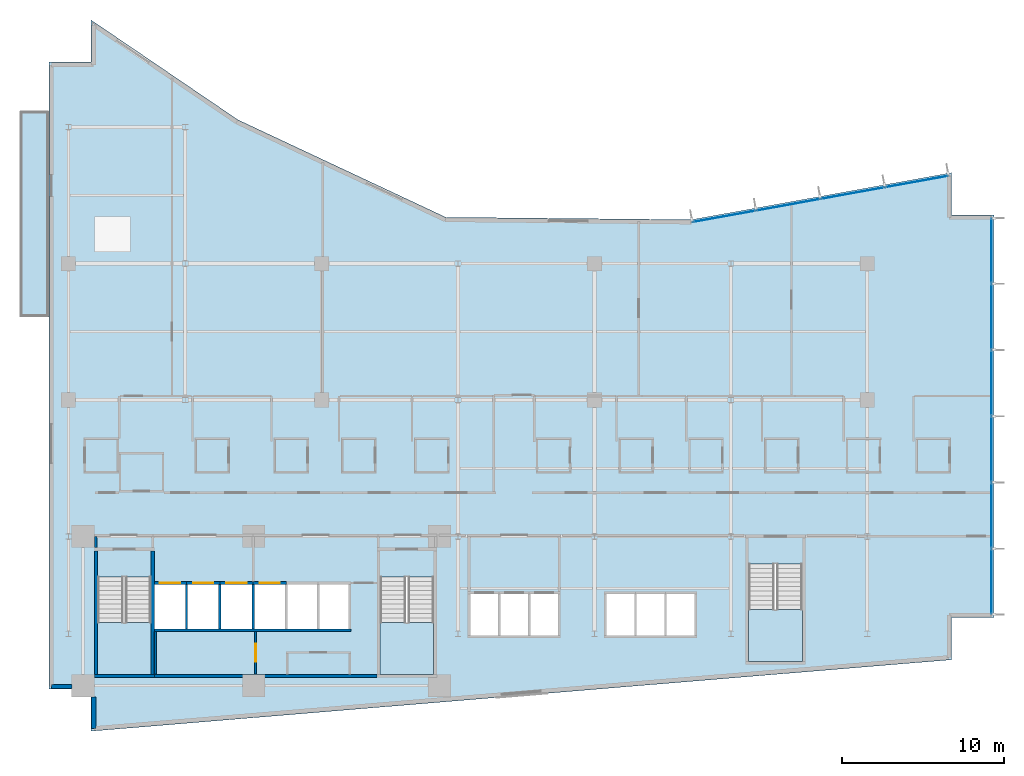
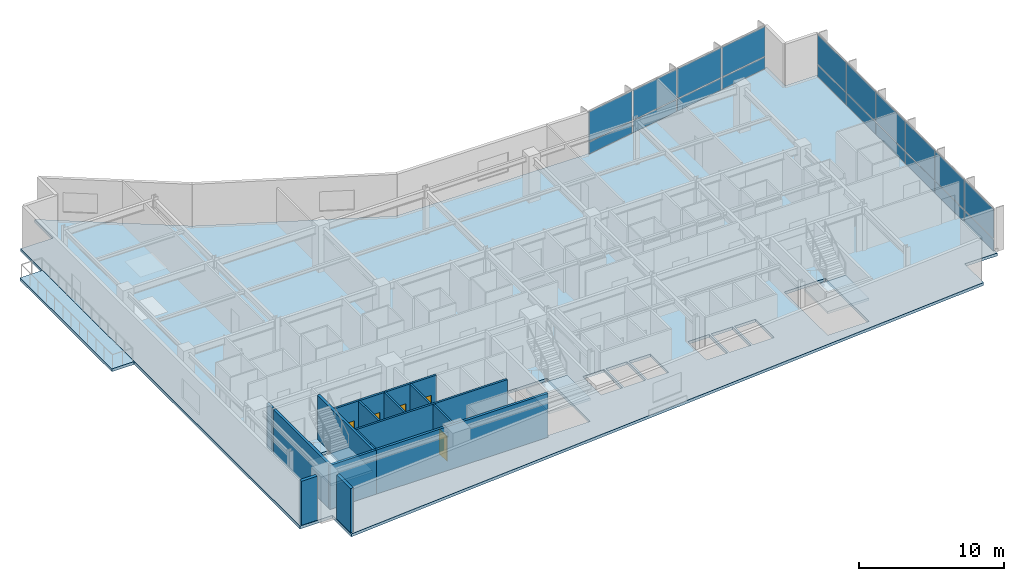
# One storey, part 11 of 21: 20 plates, 17 walls, 5 doors, 5 slabs, 5 openings, 5 elements without a shape of their own.
"""IFC4 building model written with IfcOpenShell, lengths in metres."""

from ifc_helpers import new_model, si_unit, direction, frame, frame_2d, origin, origin_2d, place, context, subcontext, project, spatial, polyline, rectangle, outline, extrude, material, layer, layer_set, type_object, element, fill, aggregate, save


model = new_model("IFC4")

# Units and contexts
model_context = context("Model", 3, precision=1e-05, world=origin(), true_north=direction((0.0, 1.0)))
body_context = subcontext(model_context, "Body", "Model", "MODEL_VIEW")
ifc_project = project(units=[si_unit("LENGTHUNIT", "METRE"), si_unit("AREAUNIT", "SQUARE_METRE"), si_unit("VOLUMEUNIT", "CUBIC_METRE"), si_unit("PLANEANGLEUNIT", "RADIAN"), si_unit("MASSUNIT", "GRAM", prefix="KILO")], contexts=[model_context])

# Site, building, storey
site_placement = place(None, origin())
site = spatial("IfcSite", under=ifc_project, at=site_placement, CompositionType="ELEMENT")
building_placement = place(site_placement, origin())
building = spatial("IfcBuilding", under=site, at=building_placement, Name="Varnakote Quay Hospital", CompositionType="ELEMENT")
storey_placement = place(building_placement, frame((0.0, 0.0, 42.25)))
storey = spatial("IfcBuildingStorey", under=building, at=storey_placement, Name="L10", CompositionType="ELEMENT", Elevation=42.25)

# Curtain wall, plates
ifc_material_1 = material(Name="Anodised aluminium 6063-T6 Bronze", Category="aluminium")
ifc_layer_1 = layer(ifc_material_1, 0.18994140625)
ifc_layer_set_1 = layer_set([ifc_layer_1], Name="Anodised aluminium 6063-T6 Bronze")
curtain_wall_type = type_object("IfcCurtainWallType", Name="CW-SYS-2", PredefinedType="NOTDEFINED", material=ifc_layer_set_1)
curtain_wall_1_placement = place(storey_placement, origin())
curtain_wall_1 = element("IfcCurtainWall", 1, at=curtain_wall_1_placement, inside=storey, type_object=curtain_wall_type, Name="L10 Unitised Bronze Curtain Wall 1", PredefinedType="NOTDEFINED")
ifc_material_2 = material(Name="Double-glazed acoustic laminated glass", Category="glass")
ifc_layer_2 = layer(ifc_material_2, 0.031982421875)
ifc_layer_set_2 = layer_set([ifc_layer_2], Name="Double-glazed acoustic laminated glass")
plate_type = type_object("IfcPlateType", Name="CW-PNL-GLZ-32", PredefinedType="CURTAIN_PANEL", material=ifc_layer_set_2)
plate_1_placement = place(storey_placement, frame((58.0400390625, 9.21875, 0.0751953125), z_axis=(0.0, 0.0, 1.0), x_axis=(0.0, 1.0, 0.0)))
plate_1 = element("IfcPlate", 2, at=plate_1_placement, type_object=plate_type, Name="-2-L10-1 panel 1.1", PredefinedType="CURTAIN_PANEL", context=body_context, shape_type="SweptSolid", body=[
    extrude(rectangle(XDim=3.967529296875, YDim=0.031982421875, at=origin_2d()), origin(), (0.0, 0.0, 1.0), 0.987548828125),
])
plate_2_placement = place(storey_placement, frame((58.0400390625, 9.21875, 1.137451171875), z_axis=(0.0, 0.0, 1.0), x_axis=(0.0, 1.0, 0.0)))
plate_2 = element("IfcPlate", 3, at=plate_2_placement, type_object=plate_type, Name="-2-L10-1 panel 1.2", PredefinedType="CURTAIN_PANEL", context=body_context, shape_type="SweptSolid", body=[
    extrude(rectangle(XDim=3.967529296875, YDim=0.031982421875, at=origin_2d()), origin(), (0.0, 0.0, 1.0), 2.49755859375),
])
plate_3_placement = place(storey_placement, frame((58.0400390625, 13.280029296875, 0.0751953125), z_axis=(0.0, 0.0, 1.0), x_axis=(0.0, 1.0, 0.0)))
plate_3 = element("IfcPlate", 4, at=plate_3_placement, type_object=plate_type, Name="-2-L10-1 panel 2.1", PredefinedType="CURTAIN_PANEL", context=body_context, shape_type="SweptSolid", body=[
    extrude(rectangle(XDim=4.0048828125, YDim=0.031982421875, at=origin_2d()), origin(), (0.0, 0.0, 1.0), 0.987548828125),
])
plate_4_placement = place(storey_placement, frame((58.0400390625, 13.280029296875, 1.137451171875), z_axis=(0.0, 0.0, 1.0), x_axis=(0.0, 1.0, 0.0)))
plate_4 = element("IfcPlate", 5, at=plate_4_placement, type_object=plate_type, Name="-2-L10-1 panel 2.2", PredefinedType="CURTAIN_PANEL", context=body_context, shape_type="SweptSolid", body=[
    extrude(rectangle(XDim=4.0048828125, YDim=0.031982421875, at=origin_2d()), origin(), (0.0, 0.0, 1.0), 2.49755859375),
])
plate_5_placement = place(storey_placement, frame((58.0400390625, 17.360107421875, 0.0751953125), z_axis=(0.0, 0.0, 1.0), x_axis=(0.0, 1.0, 0.0)))
plate_5 = element("IfcPlate", 6, at=plate_5_placement, type_object=plate_type, Name="-2-L10-1 panel 3.1", PredefinedType="CURTAIN_PANEL", context=body_context, shape_type="SweptSolid", body=[
    extrude(rectangle(XDim=4.0048828125, YDim=0.031982421875, at=origin_2d()), origin(), (0.0, 0.0, 1.0), 0.987548828125),
])
plate_6_placement = place(storey_placement, frame((58.0400390625, 17.360107421875, 1.137451171875), z_axis=(0.0, 0.0, 1.0), x_axis=(0.0, 1.0, 0.0)))
plate_6 = element("IfcPlate", 7, at=plate_6_placement, type_object=plate_type, Name="-2-L10-1 panel 3.2", PredefinedType="CURTAIN_PANEL", context=body_context, shape_type="SweptSolid", body=[
    extrude(rectangle(XDim=4.0048828125, YDim=0.031982421875, at=origin_2d()), origin(), (0.0, 0.0, 1.0), 2.49755859375),
])
plate_7_placement = place(storey_placement, frame((58.0400390625, 21.43994140625, 0.0751953125), z_axis=(0.0, 0.0, 1.0), x_axis=(0.0, 1.0, 0.0)))
plate_7 = element("IfcPlate", 8, at=plate_7_placement, type_object=plate_type, Name="-2-L10-1 panel 4.1", PredefinedType="CURTAIN_PANEL", context=body_context, shape_type="SweptSolid", body=[
    extrude(rectangle(XDim=4.0048828125, YDim=0.031982421875, at=origin_2d()), origin(), (0.0, 0.0, 1.0), 0.987548828125),
])
plate_8_placement = place(storey_placement, frame((58.0400390625, 21.43994140625, 1.137451171875), z_axis=(0.0, 0.0, 1.0), x_axis=(0.0, 1.0, 0.0)))
plate_8 = element("IfcPlate", 9, at=plate_8_placement, type_object=plate_type, Name="-2-L10-1 panel 4.2", PredefinedType="CURTAIN_PANEL", context=body_context, shape_type="SweptSolid", body=[
    extrude(rectangle(XDim=4.0048828125, YDim=0.031982421875, at=origin_2d()), origin(), (0.0, 0.0, 1.0), 2.49755859375),
])
plate_9_placement = place(storey_placement, frame((58.0400390625, 25.52001953125, 0.0751953125), z_axis=(0.0, 0.0, 1.0), x_axis=(0.0, 1.0, 0.0)))
plate_9 = element("IfcPlate", 10, at=plate_9_placement, type_object=plate_type, Name="-2-L10-1 panel 5.1", PredefinedType="CURTAIN_PANEL", context=body_context, shape_type="SweptSolid", body=[
    extrude(rectangle(XDim=4.0048828125, YDim=0.031982421875, at=origin_2d()), origin(), (0.0, 0.0, 1.0), 0.987548828125),
])
plate_10_placement = place(storey_placement, frame((58.0400390625, 25.52001953125, 1.137451171875), z_axis=(0.0, 0.0, 1.0), x_axis=(0.0, 1.0, 0.0)))
plate_10 = element("IfcPlate", 11, at=plate_10_placement, type_object=plate_type, Name="-2-L10-1 panel 5.2", PredefinedType="CURTAIN_PANEL", context=body_context, shape_type="SweptSolid", body=[
    extrude(rectangle(XDim=4.0048828125, YDim=0.031982421875, at=origin_2d()), origin(), (0.0, 0.0, 1.0), 2.49755859375),
])
plate_11_placement = place(storey_placement, frame((58.0400390625, 29.581298828125, 0.0751953125), z_axis=(0.0, 0.0, 1.0), x_axis=(0.0, 1.0, 0.0)))
plate_11 = element("IfcPlate", 12, at=plate_11_placement, type_object=plate_type, Name="-2-L10-1 panel 6.1", PredefinedType="CURTAIN_PANEL", context=body_context, shape_type="SweptSolid", body=[
    extrude(rectangle(XDim=3.967529296875, YDim=0.031982421875, at=origin_2d()), origin(), (0.0, 0.0, 1.0), 0.987548828125),
])
plate_12_placement = place(storey_placement, frame((58.0400390625, 29.581298828125, 1.137451171875), z_axis=(0.0, 0.0, 1.0), x_axis=(0.0, 1.0, 0.0)))
plate_12 = element("IfcPlate", 13, at=plate_12_placement, type_object=plate_type, Name="-2-L10-1 panel 6.2", PredefinedType="CURTAIN_PANEL", context=body_context, shape_type="SweptSolid", body=[
    extrude(rectangle(XDim=3.967529296875, YDim=0.031982421875, at=origin_2d()), origin(), (0.0, 0.0, 1.0), 2.49755859375),
])
aggregate(curtain_wall_1, [plate_1, plate_2, plate_3, plate_4, plate_5, plate_6, plate_7, plate_8, plate_9, plate_10, plate_11, plate_12])

curtain_wall_2_placement = place(storey_placement, origin())
curtain_wall_2 = element("IfcCurtainWall", 14, at=curtain_wall_2_placement, inside=storey, type_object=curtain_wall_type, Name="L10 Unitised Bronze Curtain Wall 2", PredefinedType="NOTDEFINED")
plate_13_placement = place(storey_placement, frame((53.440185546875, 33.84716796875, 0.0751953125), z_axis=(0.0, 0.0, 1.0), x_axis=(-0.984058295766, -0.177846199098, 0.0)))
plate_13 = element("IfcPlate", 15, at=plate_13_placement, type_object=plate_type, Name="-2-L10-2 panel 1.1", PredefinedType="CURTAIN_PANEL", context=body_context, shape_type="SweptSolid", body=[
    extrude(rectangle(XDim=3.914306640625, YDim=0.031982421875, at=origin_2d()), origin(), (0.0, 0.0, 1.0), 0.987548828125),
])
plate_14_placement = place(storey_placement, frame((53.440185546875, 33.84716796875, 1.137451171875), z_axis=(0.0, 0.0, 1.0), x_axis=(-0.984058295766, -0.177846199098, 0.0)))
plate_14 = element("IfcPlate", 16, at=plate_14_placement, type_object=plate_type, Name="-2-L10-2 panel 1.2", PredefinedType="CURTAIN_PANEL", context=body_context, shape_type="SweptSolid", body=[
    extrude(rectangle(XDim=3.914306640625, YDim=0.031982421875, at=origin_2d()), origin(), (0.0, 0.0, 1.0), 2.49755859375),
])
plate_15_placement = place(storey_placement, frame((49.49609375, 33.13427734375, 0.0751953125), z_axis=(0.0, 0.0, 1.0), x_axis=(-0.984058295766, -0.177846199098, 0.0)))
plate_15 = element("IfcPlate", 17, at=plate_15_placement, type_object=plate_type, Name="-2-L10-2 panel 2.1", PredefinedType="CURTAIN_PANEL", context=body_context, shape_type="SweptSolid", body=[
    extrude(rectangle(XDim=3.951904296875, YDim=0.031982421875, at=origin_2d()), origin(), (0.0, 0.0, 1.0), 0.987548828125),
])
plate_16_placement = place(storey_placement, frame((49.49609375, 33.13427734375, 1.137451171875), z_axis=(0.0, 0.0, 1.0), x_axis=(-0.984058295766, -0.177846199098, 0.0)))
plate_16 = element("IfcPlate", 18, at=plate_16_placement, type_object=plate_type, Name="-2-L10-2 panel 2.2", PredefinedType="CURTAIN_PANEL", context=body_context, shape_type="SweptSolid", body=[
    extrude(rectangle(XDim=3.951904296875, YDim=0.031982421875, at=origin_2d()), origin(), (0.0, 0.0, 1.0), 2.49755859375),
])
plate_17_placement = place(storey_placement, frame((45.533447265625, 32.418212890625, 0.0751953125), z_axis=(0.0, 0.0, 1.0), x_axis=(-0.984058295766, -0.177846199098, 0.0)))
plate_17 = element("IfcPlate", 19, at=plate_17_placement, type_object=plate_type, Name="-2-L10-2 panel 3.1", PredefinedType="CURTAIN_PANEL", context=body_context, shape_type="SweptSolid", body=[
    extrude(rectangle(XDim=3.951904296875, YDim=0.031982421875, at=origin_2d()), origin(), (0.0, 0.0, 1.0), 0.987548828125),
])
plate_18_placement = place(storey_placement, frame((45.533447265625, 32.418212890625, 1.137451171875), z_axis=(0.0, 0.0, 1.0), x_axis=(-0.984058295766, -0.177846199098, 0.0)))
plate_18 = element("IfcPlate", 20, at=plate_18_placement, type_object=plate_type, Name="-2-L10-2 panel 3.2", PredefinedType="CURTAIN_PANEL", context=body_context, shape_type="SweptSolid", body=[
    extrude(rectangle(XDim=3.951904296875, YDim=0.031982421875, at=origin_2d()), origin(), (0.0, 0.0, 1.0), 2.49755859375),
])
plate_19_placement = place(storey_placement, frame((41.58935546875, 31.705322265625, 0.0751953125), z_axis=(0.0, 0.0, 1.0), x_axis=(-0.984058295766, -0.177846199098, 0.0)))
plate_19 = element("IfcPlate", 21, at=plate_19_placement, type_object=plate_type, Name="-2-L10-2 panel 4.1", PredefinedType="CURTAIN_PANEL", context=body_context, shape_type="SweptSolid", body=[
    extrude(rectangle(XDim=3.914306640625, YDim=0.031982421875, at=origin_2d()), origin(), (0.0, 0.0, 1.0), 0.987548828125),
])
plate_20_placement = place(storey_placement, frame((41.58935546875, 31.705322265625, 1.137451171875), z_axis=(0.0, 0.0, 1.0), x_axis=(-0.984058295766, -0.177846199098, 0.0)))
plate_20 = element("IfcPlate", 22, at=plate_20_placement, type_object=plate_type, Name="-2-L10-2 panel 4.2", PredefinedType="CURTAIN_PANEL", context=body_context, shape_type="SweptSolid", body=[
    extrude(rectangle(XDim=3.914306640625, YDim=0.031982421875, at=origin_2d()), origin(), (0.0, 0.0, 1.0), 2.49755859375),
])
aggregate(curtain_wall_2, [plate_13, plate_14, plate_15, plate_16, plate_17, plate_18, plate_19, plate_20])

# Stair, slab
ifc_material_3 = material(Name="Concrete N40 (f'c 40 MPa)", Category="concrete")
stair_type = type_object("IfcStairType", Name="STR-CORE-1580", PredefinedType="HALF_TURN_STAIR", material=ifc_material_3)
stair_1_placement = place(storey_placement, origin())
stair_1 = element("IfcStair", 23, at=stair_1_placement, inside=storey, type_object=stair_type, Name="L10 Fire-Isolated Exit Stair ST-01", PredefinedType="HALF_TURN_STAIR")
ifc_material_4 = material(Name="Concrete N40 (f'c 40 MPa)", Category="concrete")
ifc_layer_3 = layer(ifc_material_4, 0.199951171875)
ifc_layer_set_3 = layer_set([ifc_layer_3], Name="Concrete N40 (f'c 40 MPa)")
slab_type_1 = type_object("IfcSlabType", Name="SLB-STAIR-LND-200", PredefinedType="LANDING", material=ifc_layer_set_3)
slab_1_placement = place(storey_placement, frame((0.0, 0.0, 1.77490234375)))
slab_1 = element("IfcSlab", 24, at=slab_1_placement, type_object=slab_type_1, Name="ST-01 landing 1", PredefinedType="LANDING", context=body_context, shape_type="SweptSolid", body=[
    extrude(outline(polyline([(3.0, 6.699951171875), (3.0, 3.5), (6.300048828125, 3.5), (6.300048828125, 6.699951171875), (3.0, 6.699951171875)])), origin(), (0.0, 0.0, 1.0), 0.2001953125),
])
aggregate(stair_1, [slab_1])

stair_2_placement = place(storey_placement, origin())
stair_2 = element("IfcStair", 25, at=stair_2_placement, inside=storey, type_object=stair_type, Name="L10 Fire-Isolated Exit Stair ST-02", PredefinedType="HALF_TURN_STAIR")
slab_2_placement = place(storey_placement, frame((0.0, 0.0, 1.77490234375)))
slab_2 = element("IfcSlab", 26, at=slab_2_placement, type_object=slab_type_1, Name="ST-02 landing 1", PredefinedType="LANDING", context=body_context, shape_type="SweptSolid", body=[
    extrude(outline(polyline([(20.39990234375, 6.699951171875), (20.39990234375, 3.5), (23.699951171875, 3.5), (23.699951171875, 6.699951171875), (20.39990234375, 6.699951171875)])), origin(), (0.0, 0.0, 1.0), 0.2001953125),
])
aggregate(stair_2, [slab_2])

stair_3_placement = place(storey_placement, origin())
stair_3 = element("IfcStair", 27, at=stair_3_placement, inside=storey, type_object=stair_type, Name="L10 Fire-Isolated Exit Stair ST-03", PredefinedType="HALF_TURN_STAIR")
slab_3_placement = place(storey_placement, frame((0.0, 0.0, 1.77490234375)))
slab_3 = element("IfcSlab", 28, at=slab_3_placement, type_object=slab_type_1, Name="ST-03 landing 1", PredefinedType="LANDING", context=body_context, shape_type="SweptSolid", body=[
    extrude(outline(polyline([(43.10009765625, 7.5), (43.10009765625, 4.300048828125), (46.39990234375, 4.300048828125), (46.39990234375, 7.5), (43.10009765625, 7.5)])), origin(), (0.0, 0.0, 1.0), 0.2001953125),
])
aggregate(stair_3, [slab_3])

# Slabs
ifc_material_5 = material(Name="Concrete N50 (f'c 50 MPa)", Category="concrete")
ifc_layer_4 = layer(ifc_material_5, 0.239990234375)
ifc_layer_set_4 = layer_set([ifc_layer_4], Name="Concrete N50 (f'c 50 MPa)")
slab_type_2 = type_object("IfcSlabType", Name="SLB-TERR-200", PredefinedType="FLOOR", material=ifc_layer_set_4)
slab_4_placement = place(storey_placement, frame((0.0, 0.0, -0.239990234375)))
element("IfcSlab", 29, at=slab_4_placement, inside=storey, type_object=slab_type_2, Name="L10 Waterfront Healing Terrace Slab", PredefinedType="FLOOR", context=body_context, shape_type="SweptSolid", body=[
    extrude(outline(polyline([(0.00390625, 25.5), (0.00390625, 38.199951171875), (-1.780029296875, 38.199951171875), (-1.780029296875, 25.5), (0.00390625, 25.5)])), origin(), (0.0, 0.0, 1.0), 0.239990234375),
])
ifc_material_6 = material(Name="Concrete N50 (f'c 50 MPa)", Category="concrete")
ifc_layer_5 = layer(ifc_material_6, 0.239990234375)
ifc_layer_set_5 = layer_set([ifc_layer_5], Name="Concrete N50 (f'c 50 MPa)")
slab_type_3 = type_object("IfcSlabType", Name="SLB-WARD-200", PredefinedType="FLOOR", material=ifc_layer_set_5)
slab_5_placement = place(storey_placement, frame((0.0, 0.0, -0.239990234375)))
element("IfcSlab", 30, at=slab_5_placement, inside=storey, type_object=slab_type_3, Name="L10 Primary Floor Slab", PredefinedType="FLOOR", context=body_context, shape_type="SweptSolid", body=[
    extrude(outline(polyline([(0.0, 2.60009765625), (2.60009765625, 2.60009765625), (2.60009765625, 0.0), (55.60009765625, 4.39990234375), (55.60009765625, 7.0), (58.199951171875, 7.0), (58.199951171875, 31.800048828125), (55.60009765625, 31.800048828125), (55.60009765625, 34.39990234375), (39.575927734375, 31.50390625), (24.444091796875, 31.652099609375), (11.639892578125, 37.656005859375), (2.60009765625, 43.800048828125), (2.60009765625, 41.199951171875), (0.0, 41.199951171875), (0.0, 2.60009765625)]), holes=[polyline([(3.0, 3.5), (6.300048828125, 3.5), (6.300048828125, 9.49951171875), (3.0, 9.49951171875), (3.0, 3.5)]), polyline([(20.39990234375, 3.5), (23.699951171875, 3.5), (23.699951171875, 9.49951171875), (20.39990234375, 9.49951171875), (20.39990234375, 3.5)]), polyline([(43.10009765625, 4.300048828125), (46.39990234375, 4.300048828125), (46.39990234375, 10.29931640625), (43.10009765625, 10.29931640625), (43.10009765625, 4.300048828125)]), polyline([(6.5, 6.300048828125), (8.39990234375, 6.300048828125), (8.39990234375, 9.050048828125), (6.5, 9.050048828125), (6.5, 6.300048828125)]), polyline([(8.550048828125, 6.300048828125), (10.449951171875, 6.300048828125), (10.449951171875, 9.050048828125), (8.550048828125, 9.050048828125), (8.550048828125, 6.300048828125)]), polyline([(10.60009765625, 6.300048828125), (12.5, 6.300048828125), (12.5, 9.050048828125), (10.60009765625, 9.050048828125), (10.60009765625, 6.300048828125)]), polyline([(12.64990234375, 6.300048828125), (14.550048828125, 6.300048828125), (14.550048828125, 9.050048828125), (12.64990234375, 9.050048828125), (12.64990234375, 6.300048828125)]), polyline([(14.699951171875, 6.300048828125), (16.5, 6.300048828125), (16.5, 9.050048828125), (14.699951171875, 9.050048828125), (14.699951171875, 6.300048828125)]), polyline([(16.64990234375, 6.300048828125), (18.449951171875, 6.300048828125), (18.449951171875, 9.050048828125), (16.64990234375, 9.050048828125), (16.64990234375, 6.300048828125)]), polyline([(25.949951171875, 5.89990234375), (27.64990234375, 5.89990234375), (27.64990234375, 8.449951171875), (25.949951171875, 8.449951171875), (25.949951171875, 5.89990234375)]), polyline([(27.800048828125, 5.89990234375), (29.5, 5.89990234375), (29.5, 8.449951171875), (27.800048828125, 8.449951171875), (27.800048828125, 5.89990234375)]), polyline([(29.64990234375, 5.89990234375), (31.35009765625, 5.89990234375), (31.35009765625, 8.449951171875), (29.64990234375, 8.449951171875), (29.64990234375, 5.89990234375)]), polyline([(34.35009765625, 5.89990234375), (36.050048828125, 5.89990234375), (36.050048828125, 8.449951171875), (34.35009765625, 8.449951171875), (34.35009765625, 5.89990234375)]), polyline([(36.199951171875, 5.89990234375), (37.89990234375, 5.89990234375), (37.89990234375, 8.449951171875), (36.199951171875, 8.449951171875), (36.199951171875, 5.89990234375)]), polyline([(38.050048828125, 5.89990234375), (39.75, 5.89990234375), (39.75, 8.449951171875), (38.050048828125, 8.449951171875), (38.050048828125, 5.89990234375)])]), origin(), (0.0, 0.0, 1.0), 0.239990234375),
])

# Walls
ifc_material_7 = material(Name="Fire-rated acoustic gypsum stud wall", Category="gypsum")
ifc_layer_6 = layer(ifc_material_7, 0.159912109375)
ifc_layer_set_6 = layer_set([ifc_layer_6], Name="Fire-rated acoustic gypsum stud wall")
wall_type_1 = type_object("IfcWallType", Name="WL-COMP-160", PredefinedType="PARTITIONING", material=ifc_layer_set_6)
wall_1_placement = place(storey_placement, frame((2.8798828125, 11.300048828125, 0.0), z_axis=(0.0, 0.0, 1.0), x_axis=(0.0, 1.0, 0.0)))
element("IfcWall", 31, at=wall_1_placement, inside=storey, type_object=wall_type_1, Name="L10 West Stair Vestibule West Wall", PredefinedType="PARTITIONING", context=body_context, shape_type="SweptSolid", body=[
    extrude(rectangle(XDim=0.699951171875, YDim=0.159912109375, at=frame_2d((0.35009765625, 0.0))), origin(), (0.0, 0.0, 1.0), 3.7099609375),
])
ifc_material_8 = material(Name="Concrete N80 (f'c 80 MPa)", Category="concrete")
ifc_layer_7 = layer(ifc_material_8, 0.199951171875)
ifc_layer_set_7 = layer_set([ifc_layer_7], Name="Concrete N80 (f'c 80 MPa)")
wall_type_2 = type_object("IfcWallType", Name="WL-CORE-N80-200", PredefinedType="SHEAR", material=ifc_layer_set_7)
wall_2_placement = place(storey_placement, frame((6.5, 3.39990234375, 0.0), z_axis=(0.0, 0.0, 1.0), x_axis=(1.0, 0.0, 0.0)))
element("IfcWall", 32, at=wall_2_placement, inside=storey, type_object=wall_type_2, Name="L10 Rear Core South Shear Wall", PredefinedType="SHEAR", context=body_context, shape_type="SweptSolid", body=[
    extrude(rectangle(XDim=13.699951171875, YDim=0.199951171875, at=frame_2d((6.85009765625, 0.0))), origin(), (0.0, 0.0, 1.0), 3.7099609375),
])
ifc_material_9 = material(Name="Precast concrete N50 (f'c 50 MPa)", Category="concrete")
ifc_layer_8 = layer(ifc_material_9, 0.260009765625)
ifc_layer_set_8 = layer_set([ifc_layer_8], Name="Precast concrete N50 (f'c 50 MPa)")
wall_type_3 = type_object("IfcWallType", Name="WL-EXT-BRICK-260", PredefinedType="STANDARD", material=ifc_layer_set_8)
wall_3_placement = place(storey_placement, frame((2.760009765625, 2.114990234375, 0.0), z_axis=(0.0, 0.0, 1.0), x_axis=(0.0, -1.0, 0.0)))
element("IfcWall", 33, at=wall_3_placement, inside=storey, type_object=wall_type_3, Name="L10 Brick-Faced Precast Exterior Wall", PredefinedType="STANDARD", context=body_context, shape_type="SweptSolid", body=[
    extrude(rectangle(XDim=1.941162109375, YDim=0.260009765625, at=frame_2d((0.970703125, 0.0))), origin(), (0.0, 0.0, 1.0), 3.7099609375),
])
wall_4_placement = place(storey_placement, frame((0.159912109375, 2.760009765625, 0.0), z_axis=(0.0, 0.0, 1.0), x_axis=(1.0, 0.0, 0.0)))
element("IfcWall", 34, at=wall_4_placement, inside=storey, type_object=wall_type_3, Name="L10 Brick-Faced Precast Exterior Wall", PredefinedType="STANDARD", context=body_context, shape_type="SweptSolid", body=[
    extrude(rectangle(XDim=1.255126953125, YDim=0.260009765625, at=frame_2d((0.62744140625, 0.0))), origin(), (0.0, 0.0, 1.0), 3.7099609375),
])
ifc_material_10 = material(Name="Concrete N50 (f'c 50 MPa)", Category="concrete")
ifc_layer_9 = layer(ifc_material_10, 0.14990234375)
ifc_layer_set_9 = layer_set([ifc_layer_9], Name="Concrete N50 (f'c 50 MPa)")
wall_type_4 = type_object("IfcWallType", Name="WL-SHAFT-N50-150", PredefinedType="SHEAR", material=ifc_layer_set_9)
for number, where, z_axis, x_axis, name in (
    (35, (8.47509765625, 6.300048828125, 0.0), (0.0, 0.0, 1.0), (0.0, 1.0, 0.0), "L10 LF-FF1 Hoistway Divider Wall"),
    (36, (10.52490234375, 6.300048828125, 0.0), (0.0, 0.0, 1.0), (0.0, 1.0, 0.0), "L10 LF-FF2 Hoistway Divider Wall"),
    (37, (12.574951171875, 6.300048828125, 0.0), (0.0, 0.0, 1.0), (0.0, 1.0, 0.0), "L10 LF-SV1 Hoistway Divider Wall"),
):
    element("IfcWall", number, at=place(storey_placement, frame(where, z_axis=z_axis, x_axis=x_axis)), inside=storey, type_object=wall_type_4, Name=name, PredefinedType="SHEAR", context=body_context, shape_type="SweptSolid", body=[
        extrude(rectangle(XDim=2.75, YDim=0.14990234375, at=frame_2d((1.375, 0.0))), origin(), (0.0, 0.0, 1.0), 3.7099609375),
    ])
ifc_material_11 = material(Name="Concrete N50 (f'c 50 MPa)", Category="concrete")
ifc_layer_10 = layer(ifc_material_11, 0.159912109375)
ifc_layer_set_10 = layer_set([ifc_layer_10], Name="Concrete N50 (f'c 50 MPa)")
wall_type_5 = type_object("IfcWallType", Name="WL-SHAFT-N50-160", PredefinedType="SHEAR", material=ifc_layer_set_10)
wall_5_placement = place(storey_placement, frame((6.5, 6.219970703125, 0.0), z_axis=(0.0, 0.0, 1.0), x_axis=(1.0, 0.0, 0.0)))
element("IfcWall", 38, at=wall_5_placement, inside=storey, type_object=wall_type_5, Name="L10 REAR Lift Bank Back Shear Wall", PredefinedType="SHEAR", context=body_context, shape_type="SweptSolid", body=[
    extrude(rectangle(XDim=12.110107421875, YDim=0.159912109375, at=frame_2d((6.05517578125, 0.0))), origin(), (0.0, 0.0, 1.0), 3.7099609375),
])

# Wall, opening, door
wall_6_placement = place(storey_placement, frame((6.5, 9.1298828125, 0.0), z_axis=(0.0, 0.0, 1.0), x_axis=(1.0, 0.0, 0.0)))
wall_6 = element("IfcWall", 39, at=wall_6_placement, inside=storey, type_object=wall_type_5, Name="L10 LF-FF1 Hoistway Front Wall", PredefinedType="SHEAR", context=body_context, shape_type="SweptSolid", body=[
    extrude(rectangle(XDim=1.97509765625, YDim=0.159912109375, at=frame_2d((0.987548828125, 0.0))), origin(), (0.0, 0.0, 1.0), 3.7099609375),
])
opening_1_placement = place(wall_6_placement, frame((0.324951171875, 0.0, 0.0)))
opening_1 = element("IfcOpeningElement", 40, at=opening_1_placement, cuts=wall_6, Name="Opening LD-FF1-L10", PredefinedType="OPENING", context=body_context, shape_type="SweptSolid", body=[
    extrude(rectangle(XDim=1.25, YDim=2.14990234375, at=frame_2d((0.625, 1.074951171875))), frame((0.0, 0.08984375, 0.0), z_axis=(0.0, -1.0, 0.0), x_axis=(1.0, 0.0, 0.0)), (0.0, 0.0, 1.0), 0.179931640625),
])
ifc_material_12 = material(Name="Stainless steel lift landing sliding door", Category="steel")
door_type_1 = type_object("IfcDoorType", Name="DR-LIFT-LD-1250x2150", OperationType="NOTDEFINED", PredefinedType="DOOR", material=ifc_material_12)
door_1_placement = place(opening_1_placement, origin())
door_1 = element("IfcDoor", 41, at=door_1_placement, inside=storey, type_object=door_type_1, Name="L10 LF-FF1 Lift Landing Sliding Door", OperationType="SLIDING_TO_LEFT", OverallHeight=2.14990234375, OverallWidth=1.25, PredefinedType="DOOR", context=body_context, shape_type="SweptSolid", body=[
    extrude(rectangle(XDim=1.25, YDim=2.14990234375, at=frame_2d((0.625, 1.074951171875))), frame((0.0, 0.02490234375, 0.0), z_axis=(0.0, -1.0, 0.0), x_axis=(1.0, 0.0, 0.0)), (0.0, 0.0, 1.0), 0.050048828125),
])
fill(opening_1, door_1)

wall_7_placement = place(storey_placement, frame((8.47509765625, 9.1298828125, 0.0), z_axis=(0.0, 0.0, 1.0), x_axis=(1.0, 0.0, 0.0)))
wall_7 = element("IfcWall", 42, at=wall_7_placement, inside=storey, type_object=wall_type_5, Name="L10 LF-FF2 Hoistway Front Wall", PredefinedType="SHEAR", context=body_context, shape_type="SweptSolid", body=[
    extrude(rectangle(XDim=2.0498046875, YDim=0.159912109375, at=frame_2d((1.02490234375, 0.0))), origin(), (0.0, 0.0, 1.0), 3.7099609375),
])
opening_2_placement = place(wall_7_placement, frame((0.39990234375, 0.0, 0.0)))
opening_2 = element("IfcOpeningElement", 43, at=opening_2_placement, cuts=wall_7, Name="Opening LD-FF2-L10", PredefinedType="OPENING", context=body_context, shape_type="SweptSolid", body=[
    extrude(rectangle(XDim=1.25, YDim=2.14990234375, at=frame_2d((0.625, 1.074951171875))), frame((0.0, 0.08984375, 0.0), z_axis=(0.0, -1.0, 0.0), x_axis=(1.0, 0.0, 0.0)), (0.0, 0.0, 1.0), 0.179931640625),
])
door_2_placement = place(opening_2_placement, origin())
door_2 = element("IfcDoor", 44, at=door_2_placement, inside=storey, type_object=door_type_1, Name="L10 LF-FF2 Lift Landing Sliding Door", OperationType="SLIDING_TO_LEFT", OverallHeight=2.14990234375, OverallWidth=1.25, PredefinedType="DOOR", context=body_context, shape_type="SweptSolid", body=[
    extrude(rectangle(XDim=1.25, YDim=2.14990234375, at=frame_2d((0.625, 1.074951171875))), frame((0.0, 0.02490234375, 0.0), z_axis=(0.0, -1.0, 0.0), x_axis=(1.0, 0.0, 0.0)), (0.0, 0.0, 1.0), 0.050048828125),
])
fill(opening_2, door_2)

wall_8_placement = place(storey_placement, frame((10.52490234375, 9.1298828125, 0.0), z_axis=(0.0, 0.0, 1.0), x_axis=(1.0, 0.0, 0.0)))
wall_8 = element("IfcWall", 45, at=wall_8_placement, inside=storey, type_object=wall_type_5, Name="L10 LF-SV1 Hoistway Front Wall", PredefinedType="SHEAR", context=body_context, shape_type="SweptSolid", body=[
    extrude(rectangle(XDim=2.050048828125, YDim=0.159912109375, at=frame_2d((1.02490234375, 0.0))), origin(), (0.0, 0.0, 1.0), 3.7099609375),
])
opening_3_placement = place(wall_8_placement, frame((0.39990234375, 0.0, 0.0)))
opening_3 = element("IfcOpeningElement", 46, at=opening_3_placement, cuts=wall_8, Name="Opening LD-SV1-L10", PredefinedType="OPENING", context=body_context, shape_type="SweptSolid", body=[
    extrude(rectangle(XDim=1.25, YDim=2.14990234375, at=frame_2d((0.625, 1.074951171875))), frame((0.0, 0.08984375, 0.0), z_axis=(0.0, -1.0, 0.0), x_axis=(1.0, 0.0, 0.0)), (0.0, 0.0, 1.0), 0.179931640625),
])
door_3_placement = place(opening_3_placement, origin())
door_3 = element("IfcDoor", 47, at=door_3_placement, inside=storey, type_object=door_type_1, Name="L10 LF-SV1 Lift Landing Sliding Door", OperationType="SLIDING_TO_LEFT", OverallHeight=2.14990234375, OverallWidth=1.25, PredefinedType="DOOR", context=body_context, shape_type="SweptSolid", body=[
    extrude(rectangle(XDim=1.25, YDim=2.14990234375, at=frame_2d((0.625, 1.074951171875))), frame((0.0, 0.02490234375, 0.0), z_axis=(0.0, -1.0, 0.0), x_axis=(1.0, 0.0, 0.0)), (0.0, 0.0, 1.0), 0.050048828125),
])
fill(opening_3, door_3)

wall_9_placement = place(storey_placement, frame((12.574951171875, 9.1298828125, 0.0), z_axis=(0.0, 0.0, 1.0), x_axis=(1.0, 0.0, 0.0)))
wall_9 = element("IfcWall", 48, at=wall_9_placement, inside=storey, type_object=wall_type_5, Name="L10 LF-SV2 Hoistway Front Wall", PredefinedType="SHEAR", context=body_context, shape_type="SweptSolid", body=[
    extrude(rectangle(XDim=2.050048828125, YDim=0.159912109375, at=frame_2d((1.02490234375, 0.0))), origin(), (0.0, 0.0, 1.0), 3.7099609375),
])
opening_4_placement = place(wall_9_placement, frame((0.39990234375, 0.0, 0.0)))
opening_4 = element("IfcOpeningElement", 49, at=opening_4_placement, cuts=wall_9, Name="Opening LD-SV2-L10", PredefinedType="OPENING", context=body_context, shape_type="SweptSolid", body=[
    extrude(rectangle(XDim=1.25, YDim=2.14990234375, at=frame_2d((0.625, 1.074951171875))), frame((0.0, 0.08984375, 0.0), z_axis=(0.0, -1.0, 0.0), x_axis=(1.0, 0.0, 0.0)), (0.0, 0.0, 1.0), 0.179931640625),
])
door_4_placement = place(opening_4_placement, origin())
door_4 = element("IfcDoor", 50, at=door_4_placement, inside=storey, type_object=door_type_1, Name="L10 LF-SV2 Lift Landing Sliding Door", OperationType="SLIDING_TO_LEFT", OverallHeight=2.14990234375, OverallWidth=1.25, PredefinedType="DOOR", context=body_context, shape_type="SweptSolid", body=[
    extrude(rectangle(XDim=1.25, YDim=2.14990234375, at=frame_2d((0.625, 1.074951171875))), frame((0.0, 0.02490234375, 0.0), z_axis=(0.0, -1.0, 0.0), x_axis=(1.0, 0.0, 0.0)), (0.0, 0.0, 1.0), 0.050048828125),
])
fill(opening_4, door_4)

# Walls
ifc_material_13 = material(Name="Concrete N50 (f'c 50 MPa)", Category="concrete")
ifc_layer_11 = layer(ifc_material_13, 0.199951171875)
ifc_layer_set_11 = layer_set([ifc_layer_11], Name="Concrete N50 (f'c 50 MPa)")
wall_type_6 = type_object("IfcWallType", Name="WL-SHAFT-N50-200", PredefinedType="SHEAR", material=ifc_layer_set_11)
wall_10_placement = place(storey_placement, frame((2.800048828125, 3.39990234375, 0.0), z_axis=(0.0, 0.0, 1.0), x_axis=(1.0, 0.0, 0.0)))
element("IfcWall", 51, at=wall_10_placement, inside=storey, type_object=wall_type_6, Name="L10 Stair ST1 South Shaft Wall", PredefinedType="SHEAR", context=body_context, shape_type="SweptSolid", body=[
    extrude(rectangle(XDim=3.699951171875, YDim=0.199951171875, at=frame_2d((1.85009765625, 0.0))), origin(), (0.0, 0.0, 1.0), 3.7099609375),
])
for number, where, z_axis, x_axis, name in (
    (52, (2.89990234375, 3.5, 0.0), (0.0, 0.0, 1.0), (0.0, 1.0, 0.0), "L10 Stair ST1 West Shaft Wall"),
    (53, (6.39990234375, 3.5, 0.0), (0.0, 0.0, 1.0), (0.0, 1.0, 0.0), "L10 Stair ST1 East Shaft Wall"),
):
    element("IfcWall", number, at=place(storey_placement, frame(where, z_axis=z_axis, x_axis=x_axis)), inside=storey, type_object=wall_type_6, Name=name, PredefinedType="SHEAR", context=body_context, shape_type="SweptSolid", body=[
        extrude(rectangle(XDim=7.60009765625, YDim=0.199951171875, at=frame_2d((3.800048828125, 0.0))), origin(), (0.0, 0.0, 1.0), 3.7099609375),
    ])
ifc_material_14 = material(Name="Smoke-proof clinical partition", Category="gypsum")
ifc_layer_12 = layer(ifc_material_14, 0.1201171875)
ifc_layer_set_12 = layer_set([ifc_layer_12], Name="Smoke-proof clinical partition")
wall_type_7 = type_object("IfcWallType", Name="WL-SMOKE-120", PredefinedType="PARTITIONING", material=ifc_layer_set_12)
wall_11_placement = place(storey_placement, frame((6.56005859375, 3.52001953125, 0.0), z_axis=(0.0, 0.0, 1.0), x_axis=(0.0, 1.0, 0.0)))
element("IfcWall", 54, at=wall_11_placement, inside=storey, type_object=wall_type_7, Name="L10 Core West Store West Wall", PredefinedType="PARTITIONING", context=body_context, shape_type="SweptSolid", body=[
    extrude(rectangle(XDim=2.619873046875, YDim=0.1201171875, at=frame_2d((1.31005859375, 0.0))), origin(), (0.0, 0.0, 1.0), 3.7099609375),
])

# Wall, opening, door
ifc_material_15 = material(Name="Fire-rated clinical gypsum partition", Category="gypsum")
ifc_layer_13 = layer(ifc_material_15, 0.139892578125)
ifc_layer_set_13 = layer_set([ifc_layer_13], Name="Fire-rated clinical gypsum partition")
wall_type_8 = type_object("IfcWallType", Name="WL-WARD-140", PredefinedType="PARTITIONING", material=ifc_layer_set_13)
wall_12_placement = place(storey_placement, frame((12.72998046875, 3.52001953125, 0.0), z_axis=(0.0, 0.0, 1.0), x_axis=(0.0, 1.0, 0.0)))
wall_12 = element("IfcWall", 55, at=wall_12_placement, inside=storey, type_object=wall_type_8, Name="L10 Core Clean Equipment Store East Wall", PredefinedType="PARTITIONING", context=body_context, shape_type="SweptSolid", body=[
    extrude(rectangle(XDim=2.619873046875, YDim=0.139892578125, at=frame_2d((1.31005859375, 0.0))), origin(), (0.0, 0.0, 1.0), 3.7099609375),
])
opening_5_placement = place(wall_12_placement, frame((0.760009765625, 0.0, 0.0)))
opening_5 = element("IfcOpeningElement", 56, at=opening_5_placement, cuts=wall_12, Name="Opening D-L10-CR01", PredefinedType="OPENING", context=body_context, shape_type="SweptSolid", body=[
    extrude(rectangle(XDim=1.10009765625, YDim=2.10009765625, at=frame_2d((0.550048828125, 1.050048828125))), frame((0.0, 0.079833984375, 0.0), z_axis=(0.0, -1.0, 0.0), x_axis=(1.0, 0.0, 0.0)), (0.0, 0.0, 1.0), 0.159912109375),
])
ifc_material_16 = material(Name="Acoustic timber clinical consult door", Category="wood")
door_type_2 = type_object("IfcDoorType", Name="DR-CLIN-FD30S-1100x2100", OperationType="NOTDEFINED", PredefinedType="DOOR", material=ifc_material_16)
door_5_placement = place(opening_5_placement, origin())
door_5 = element("IfcDoor", 57, at=door_5_placement, inside=storey, type_object=door_type_2, Name="L10 Core Clean Equipment Store Door", OperationType="SINGLE_SWING_LEFT", OverallHeight=2.10009765625, OverallWidth=1.10009765625, PredefinedType="DOOR", context=body_context, shape_type="SweptSolid", body=[
    extrude(rectangle(XDim=1.10009765625, YDim=2.10009765625, at=frame_2d((0.550048828125, 1.050048828125))), frame((0.0, 0.02490234375, 0.0), z_axis=(0.0, -1.0, 0.0), x_axis=(1.0, 0.0, 0.0)), (0.0, 0.0, 1.0), 0.050048828125),
])
fill(opening_5, door_5)

save(model, "model.ifc")
